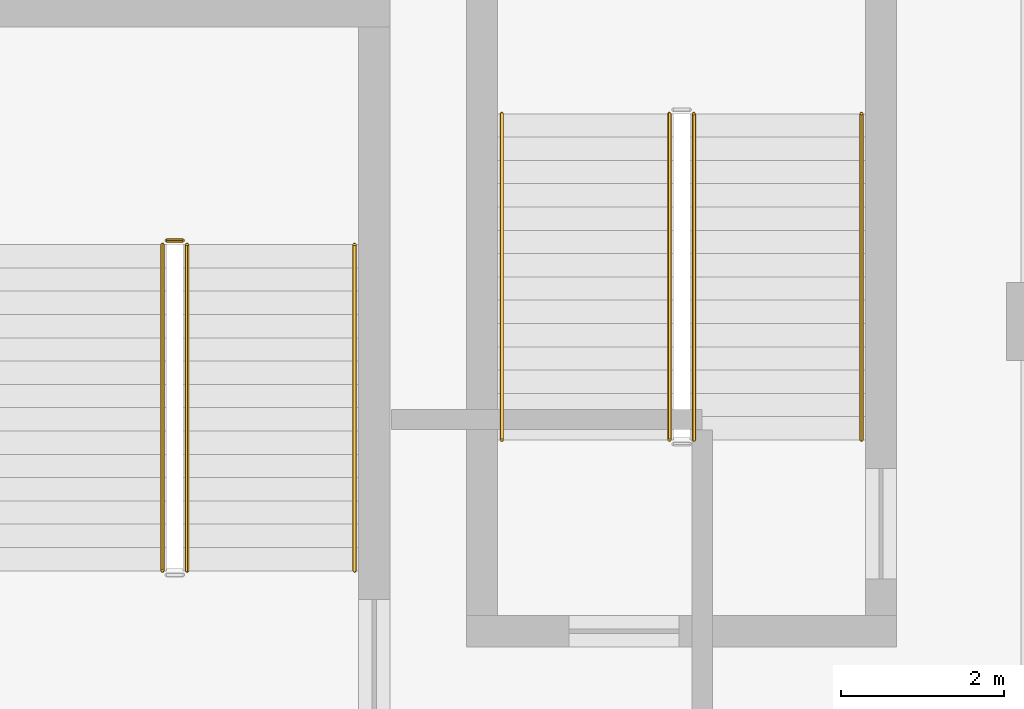
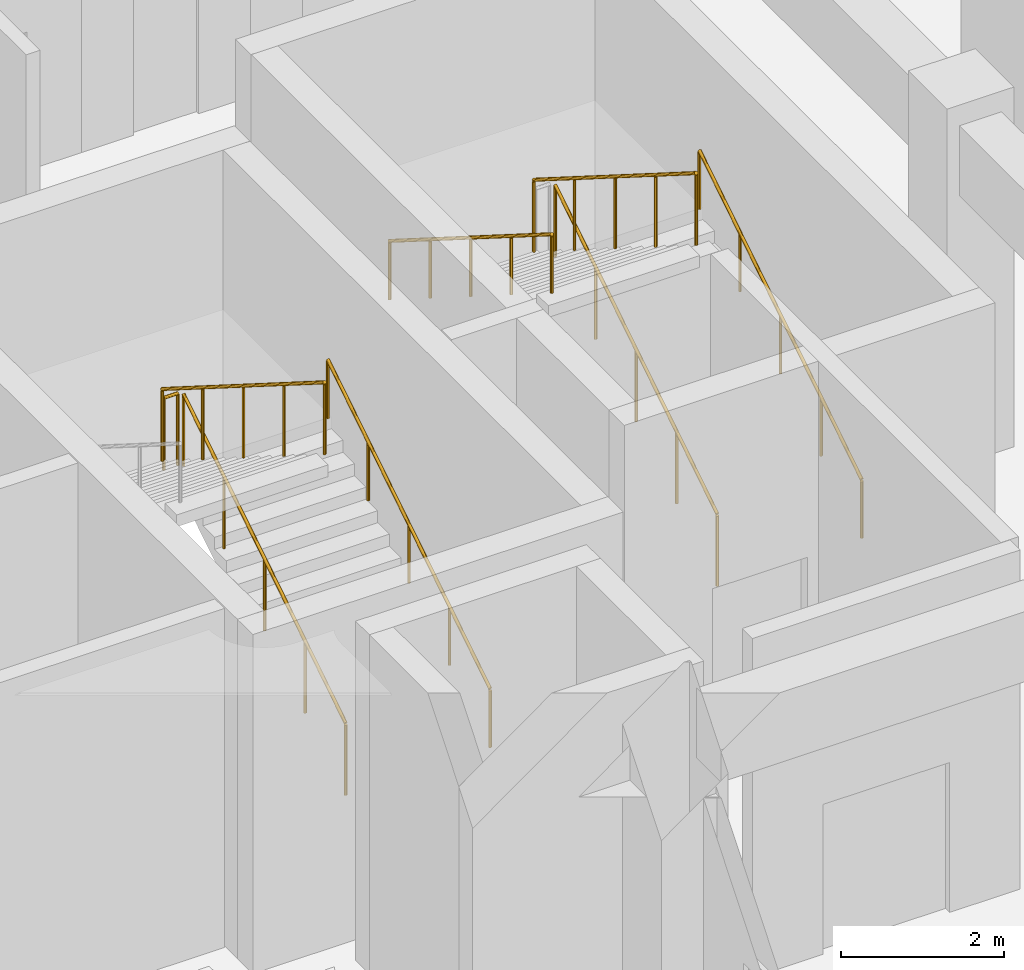
# One storey, part 45 of 74: 8 railings.
"""IFC4 building model written with IfcOpenShell, lengths in metres."""

from ifc_helpers import new_model, si_unit, direction, frame, origin, origin_2d, place, context, subcontext, project, spatial, circle, extrude, material, type_object, element, save


model = new_model("IFC4")

# Units and contexts
model_context = context("Model", 3, precision=1e-05, world=origin(), true_north=direction((0.0, 1.0)))
body_context = subcontext(model_context, "Body", "Model", "MODEL_VIEW")
ifc_project = project(units=[si_unit("LENGTHUNIT", "METRE"), si_unit("AREAUNIT", "SQUARE_METRE"), si_unit("VOLUMEUNIT", "CUBIC_METRE"), si_unit("PLANEANGLEUNIT", "RADIAN"), si_unit("MASSUNIT", "GRAM", prefix="KILO")], contexts=[model_context])

# Site, building, storey
site_placement = place(None, origin())
site = spatial("IfcSite", under=ifc_project, at=site_placement, CompositionType="ELEMENT")
building_placement = place(site_placement, origin())
building = spatial("IfcBuilding", under=site, at=building_placement, Name="Cendralis Terraced Arcade", CompositionType="ELEMENT")
storey_placement = place(building_placement, origin())
storey = spatial("IfcBuildingStorey", under=building, at=storey_placement, Name="L00", CompositionType="ELEMENT", Elevation=0.0)

# Railings
ifc_material = material(Name="Brushed stainless steel AISI 316", Category="steel")
railing_type_1 = type_object("IfcRailingType", Name="RL-STAIR-GUARD-1100", PredefinedType="GUARDRAIL", material=ifc_material)
railing_1_placement = place(storey_placement, frame((8.699951171875, 25.75, 0.179931640625)))
element("IfcRailing", 1, at=railing_1_placement, inside=storey, type_object=railing_type_1, Name="L00 ST-01 stair guard 1", PredefinedType="GUARDRAIL", context=body_context, shape_type="SweptSolid", body=[
    extrude(circle(Radius=0.02392578125, at=origin_2d()), frame((0.0, 0.0, 1.076171875), z_axis=(0.0, 0.845486444383, 0.533996884227), x_axis=(-1.0, 0.0, 0.0)), (0.0, 0.0, 1.0), 4.71923828125),
    extrude(circle(Radius=0.02099609375, at=origin_2d()), origin(), (0.0, 0.0, 1.0), 1.052001953125),
    extrude(circle(Radius=0.02099609375, at=origin_2d()), frame((0.0, 0.99755859375, 0.6298828125)), (0.0, 0.0, 1.0), 1.052001953125),
    extrude(circle(Radius=0.02099609375, at=origin_2d()), frame((0.0, 1.9951171875, 1.260009765625)), (0.0, 0.0, 1.0), 1.052001953125),
    extrude(circle(Radius=0.02099609375, at=origin_2d()), frame((0.0, 2.992431640625, 1.89013671875)), (0.0, 0.0, 1.0), 1.052001953125),
    extrude(circle(Radius=0.02099609375, at=origin_2d()), frame((0.0, 3.989990234375, 2.52001953125)), (0.0, 0.0, 1.0), 1.052001953125),
])
railing_2_placement = place(storey_placement, frame((8.64990234375, 29.7900390625, 2.699951171875)))
element("IfcRailing", 2, at=railing_2_placement, inside=storey, type_object=railing_type_1, Name="L00 ST-01 stair guard 2", PredefinedType="GUARDRAIL", context=body_context, shape_type="SweptSolid", body=[
    extrude(circle(Radius=0.02392578125, at=origin_2d()), frame((0.0, 0.0, 1.076171875), z_axis=(-1.0, 0.0, 0.0), x_axis=(0.0, -1.0, 0.0)), (0.0, 0.0, 1.0), 0.199951171875),
    extrude(circle(Radius=0.02099609375, at=origin_2d()), origin(), (0.0, 0.0, 1.0), 1.052001953125),
    extrude(circle(Radius=0.02099609375, at=origin_2d()), frame((-0.199951171875, 0.0, 0.0)), (0.0, 0.0, 1.0), 1.052001953125),
])
railing_3_placement = place(storey_placement, frame((8.39990234375, 29.739990234375, 2.8798828125)))
element("IfcRailing", 3, at=railing_3_placement, inside=storey, type_object=railing_type_1, Name="L00 ST-01 stair guard 3", PredefinedType="GUARDRAIL", context=body_context, shape_type="SweptSolid", body=[
    extrude(circle(Radius=0.02392578125, at=origin_2d()), frame((0.0, 0.0, 1.076171875), z_axis=(0.0, -0.845486444383, 0.533996884227), x_axis=(1.0, 0.0, 0.0)), (0.0, 0.0, 1.0), 4.71923828125),
    extrude(circle(Radius=0.02099609375, at=origin_2d()), origin(), (0.0, 0.0, 1.0), 1.052001953125),
    extrude(circle(Radius=0.02099609375, at=origin_2d()), frame((0.0, -0.99755859375, 0.6298828125)), (0.0, 0.0, 1.0), 1.052001953125),
    extrude(circle(Radius=0.02099609375, at=origin_2d()), frame((0.0, -1.9951171875, 1.260009765625)), (0.0, 0.0, 1.0), 1.052001953125),
    extrude(circle(Radius=0.02099609375, at=origin_2d()), frame((0.0, -2.992431640625, 1.89013671875)), (0.0, 0.0, 1.0), 1.052001953125),
    extrude(circle(Radius=0.02099609375, at=origin_2d()), frame((0.0, -3.989990234375, 2.52001953125)), (0.0, 0.0, 1.0), 1.052001953125),
])
railing_4_placement = place(storey_placement, frame((14.89990234375, 27.35009765625, 0.179931640625)))
element("IfcRailing", 4, at=railing_4_placement, inside=storey, type_object=railing_type_1, Name="L00 ST-05 stair guard 1", PredefinedType="GUARDRAIL", context=body_context, shape_type="SweptSolid", body=[
    extrude(circle(Radius=0.02392578125, at=origin_2d()), frame((0.0, 0.0, 1.076171875), z_axis=(0.0, 0.845486444383, 0.533996884227), x_axis=(-1.0, 0.0, 0.0)), (0.0, 0.0, 1.0), 4.71923828125),
    extrude(circle(Radius=0.02099609375, at=origin_2d()), origin(), (0.0, 0.0, 1.0), 1.052001953125),
    extrude(circle(Radius=0.02099609375, at=origin_2d()), frame((0.0, 0.99755859375, 0.6298828125)), (0.0, 0.0, 1.0), 1.052001953125),
    extrude(circle(Radius=0.02099609375, at=origin_2d()), frame((0.0, 1.9951171875, 1.260009765625)), (0.0, 0.0, 1.0), 1.052001953125),
    extrude(circle(Radius=0.02099609375, at=origin_2d()), frame((0.0, 2.992431640625, 1.89013671875)), (0.0, 0.0, 1.0), 1.052001953125),
    extrude(circle(Radius=0.02099609375, at=origin_2d()), frame((0.0, 3.989990234375, 2.52001953125)), (0.0, 0.0, 1.0), 1.052001953125),
])
railing_5_placement = place(storey_placement, frame((14.60009765625, 31.340087890625, 2.8798828125)))
element("IfcRailing", 5, at=railing_5_placement, inside=storey, type_object=railing_type_1, Name="L00 ST-05 stair guard 3", PredefinedType="GUARDRAIL", context=body_context, shape_type="SweptSolid", body=[
    extrude(circle(Radius=0.02392578125, at=origin_2d()), frame((0.0, 0.0, 1.076171875), z_axis=(0.0, -0.845486444383, 0.533996884227), x_axis=(1.0, 0.0, 0.0)), (0.0, 0.0, 1.0), 4.71923828125),
    extrude(circle(Radius=0.02099609375, at=origin_2d()), origin(), (0.0, 0.0, 1.0), 1.052001953125),
    extrude(circle(Radius=0.02099609375, at=origin_2d()), frame((0.0, -0.99755859375, 0.6298828125)), (0.0, 0.0, 1.0), 1.052001953125),
    extrude(circle(Radius=0.02099609375, at=origin_2d()), frame((0.0, -1.9951171875, 1.260009765625)), (0.0, 0.0, 1.0), 1.052001953125),
    extrude(circle(Radius=0.02099609375, at=origin_2d()), frame((0.0, -2.992431640625, 1.89013671875)), (0.0, 0.0, 1.0), 1.052001953125),
    extrude(circle(Radius=0.02099609375, at=origin_2d()), frame((0.0, -3.989990234375, 2.52001953125)), (0.0, 0.0, 1.0), 1.052001953125),
])
railing_type_2 = type_object("IfcRailingType", Name="RL-STAIR-HAND-900", PredefinedType="HANDRAIL", material=ifc_material)
for number, where, name in (
    (6, (10.75, 25.75, 0.179931640625), "L00 ST-01 stair handrail 1"),
    (7, (16.949951171875, 27.35009765625, 0.179931640625), "L00 ST-05 stair handrail 1"),
):
    element("IfcRailing", number, at=place(storey_placement, frame(where)), inside=storey, type_object=railing_type_2, Name=name, PredefinedType="HANDRAIL", context=body_context, shape_type="SweptSolid", body=[
        extrude(circle(Radius=0.02392578125, at=origin_2d()), frame((0.0, 0.0, 0.8759765625), z_axis=(0.0, 0.845486444383, 0.533996884227), x_axis=(-1.0, 0.0, 0.0)), (0.0, 0.0, 1.0), 4.71923828125),
        extrude(circle(Radius=0.02099609375, at=origin_2d()), origin(), (0.0, 0.0, 1.0), 0.851806640625),
        extrude(circle(Radius=0.02099609375, at=origin_2d()), frame((0.0, 0.99755859375, 0.6298828125)), (0.0, 0.0, 1.0), 0.851806640625),
        extrude(circle(Radius=0.02099609375, at=origin_2d()), frame((0.0, 1.9951171875, 1.260009765625)), (0.0, 0.0, 1.0), 0.851806640625),
        extrude(circle(Radius=0.02099609375, at=origin_2d()), frame((0.0, 2.992431640625, 1.89013671875)), (0.0, 0.0, 1.0), 0.851806640625),
        extrude(circle(Radius=0.02099609375, at=origin_2d()), frame((0.0, 3.989990234375, 2.52001953125)), (0.0, 0.0, 1.0), 0.851806640625),
    ])
railing_6_placement = place(storey_placement, frame((12.550048828125, 31.340087890625, 2.8798828125)))
element("IfcRailing", 8, at=railing_6_placement, inside=storey, type_object=railing_type_2, Name="L00 ST-05 stair handrail 2", PredefinedType="HANDRAIL", context=body_context, shape_type="SweptSolid", body=[
    extrude(circle(Radius=0.02392578125, at=origin_2d()), frame((0.0, 0.0, 0.8759765625), z_axis=(0.0, -0.845486444383, 0.533996884227), x_axis=(1.0, 0.0, 0.0)), (0.0, 0.0, 1.0), 4.71923828125),
    extrude(circle(Radius=0.02099609375, at=origin_2d()), origin(), (0.0, 0.0, 1.0), 0.851806640625),
    extrude(circle(Radius=0.02099609375, at=origin_2d()), frame((0.0, -0.99755859375, 0.6298828125)), (0.0, 0.0, 1.0), 0.851806640625),
    extrude(circle(Radius=0.02099609375, at=origin_2d()), frame((0.0, -1.9951171875, 1.260009765625)), (0.0, 0.0, 1.0), 0.851806640625),
    extrude(circle(Radius=0.02099609375, at=origin_2d()), frame((0.0, -2.992431640625, 1.89013671875)), (0.0, 0.0, 1.0), 0.851806640625),
    extrude(circle(Radius=0.02099609375, at=origin_2d()), frame((0.0, -3.989990234375, 2.52001953125)), (0.0, 0.0, 1.0), 0.851806640625),
])

save(model, "model.ifc")
